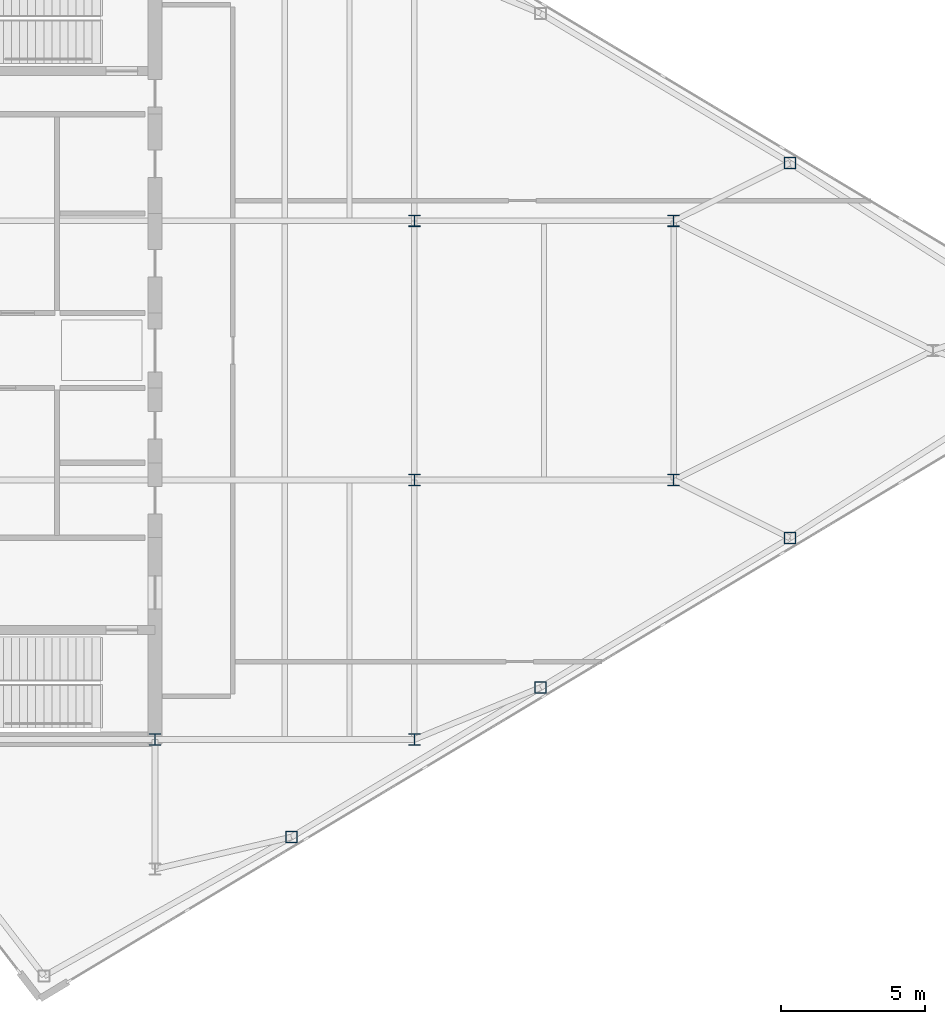
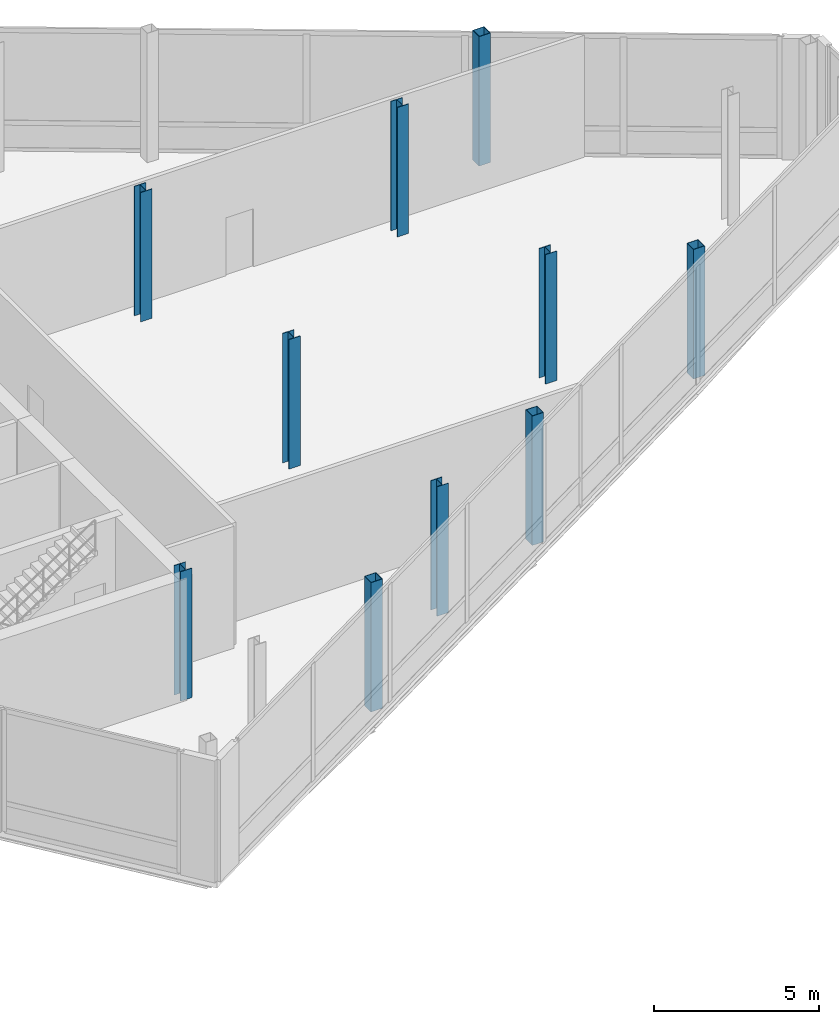
# One storey, part 5 of 28: 10 columns.
"""IFC4 building model written with IfcOpenShell, lengths in metres."""

from ifc_helpers import new_model, si_unit, direction, frame, origin, origin_2d, place, context, subcontext, project, spatial, hollow_rectangle, i_section, extrude, source, transform, mapped, material, material_profile, profile_set, type_object, type_shapes, element, save


model = new_model("IFC4")

# Units and contexts
model_context = context("Model", 3, precision=1e-05, world=origin(), true_north=direction((0.0, 1.0)))
body_context = subcontext(model_context, "Body", "Model", "MODEL_VIEW")
ifc_project = project(units=[si_unit("LENGTHUNIT", "METRE"), si_unit("AREAUNIT", "SQUARE_METRE"), si_unit("VOLUMEUNIT", "CUBIC_METRE"), si_unit("PLANEANGLEUNIT", "RADIAN"), si_unit("MASSUNIT", "GRAM", prefix="KILO")], contexts=[model_context])

# Site, building, storey
site_placement = place(None, origin())
site = spatial("IfcSite", under=ifc_project, at=site_placement, CompositionType="ELEMENT")
building_placement = place(site_placement, origin())
building = spatial("IfcBuilding", under=site, at=building_placement, Name="Seokmaru Belvedere", CompositionType="ELEMENT")
storey_placement = place(building_placement, frame((0.0, 0.0, 274.199951171875)))
storey = spatial("IfcBuildingStorey", under=building, at=storey_placement, Name="L72", CompositionType="ELEMENT", Elevation=274.199951171875)

# Columns
ifc_material = material(Name="Steel SM355 (355 MPa)", Category="steel")
ifc_material_profile_1 = material_profile(ifc_material, hollow_rectangle(XDim=0.39990234375, YDim=0.39990234375, WallThickness=0.01611328125, at=origin_2d()), Name="HSS-400x400x16")
ifc_profile_set_1 = profile_set([ifc_material_profile_1], Name="Steel SM355 (355 MPa)")
column_type_1 = type_object("IfcColumnType", Name="Perimeter Facet Column HSS-400", PredefinedType="COLUMN", material=ifc_profile_set_1)
shared_shape_1 = source(origin(), body_context, "Body", "SweptSolid", [
    extrude(hollow_rectangle(XDim=0.39990234375, YDim=0.39990234375, WallThickness=0.01611328125, at=origin_2d()), origin(), (0.0, 0.0, 1.0), 4.800048828125),
])
type_shapes(column_type_1, [shared_shape_1])
for number, where, z_axis, x_axis, name in (
    (1, (41.229736328125, -16.888916015625, 0.0), (0.0, 0.0, 1.0), (1.0, 0.0, 0.0), "L72 Column EFLK_S1"),
    (2, (49.8798828125, -11.698974609375, 0.0), (0.0, 0.0, 1.0), (1.0, 0.0, 0.0), "L72 Column EFLK_S2"),
    (3, (58.530029296875, -6.5087890625, 0.0), (0.0, 0.0, 1.0), (1.0, 0.0, 0.0), "L72 Column EFLK_S3"),
    (4, (58.530029296875, 6.5087890625, 0.0), (0.0, 0.0, 1.0), (1.0, 0.0, 0.0), "L72 Column EFLK_N3"),
):
    element("IfcColumn", number, at=place(storey_placement, frame(where, z_axis=z_axis, x_axis=x_axis)), inside=storey, type_object=column_type_1, Name=name, PredefinedType="COLUMN", context=body_context, shape_type="MappedRepresentation", body=[
        mapped(shared_shape_1, transform((0.0, 0.0, 0.0), scale=1.0)),
    ])
ifc_material_profile_2 = material_profile(ifc_material, i_section(OverallWidth=0.39990234375, OverallDepth=0.39990234375, WebThickness=0.012939453125, FlangeThickness=0.02099609375, at=origin_2d()), Name="H-400x400x13x21")
ifc_profile_set_2 = profile_set([ifc_material_profile_2], Name="Steel SM355 (355 MPa)")
column_type_2 = type_object("IfcColumnType", Name="Observatory Column H-400", PredefinedType="COLUMN", material=ifc_profile_set_2)
shared_shape_2 = source(origin(), body_context, "Body", "SweptSolid", [
    extrude(i_section(OverallWidth=0.39990234375, OverallDepth=0.39990234375, WebThickness=0.012939453125, FlangeThickness=0.02099609375, at=origin_2d()), origin(), (0.0, 0.0, 1.0), 4.800048828125),
])
type_shapes(column_type_2, [shared_shape_2])
for number, where, z_axis, x_axis, name in (
    (5, (36.5, -13.5, 0.0), (0.0, 0.0, 1.0), (1.0, 0.0, 0.0), "L72 Column EC2"),
    (6, (45.5, -13.5, 0.0), (0.0, 0.0, 1.0), (1.0, 0.0, 0.0), "L72 Column EG5_1"),
    (7, (45.5, -4.5, 0.0), (0.0, 0.0, 1.0), (1.0, 0.0, 0.0), "L72 Column EG5_2"),
    (8, (45.5, 4.5, 0.0), (0.0, 0.0, 1.0), (1.0, 0.0, 0.0), "L72 Column EG5_3"),
    (9, (54.5, -4.5, 0.0), (0.0, 0.0, 1.0), (1.0, 0.0, 0.0), "L72 Column EG4P_1"),
    (10, (54.5, 4.5, 0.0), (0.0, 0.0, 1.0), (1.0, 0.0, 0.0), "L72 Column EG4P_2"),
):
    element("IfcColumn", number, at=place(storey_placement, frame(where, z_axis=z_axis, x_axis=x_axis)), inside=storey, type_object=column_type_2, Name=name, PredefinedType="COLUMN", context=body_context, shape_type="MappedRepresentation", body=[
        mapped(shared_shape_2, transform((0.0, 0.0, 0.0), scale=1.0)),
    ])

save(model, "model.ifc")
